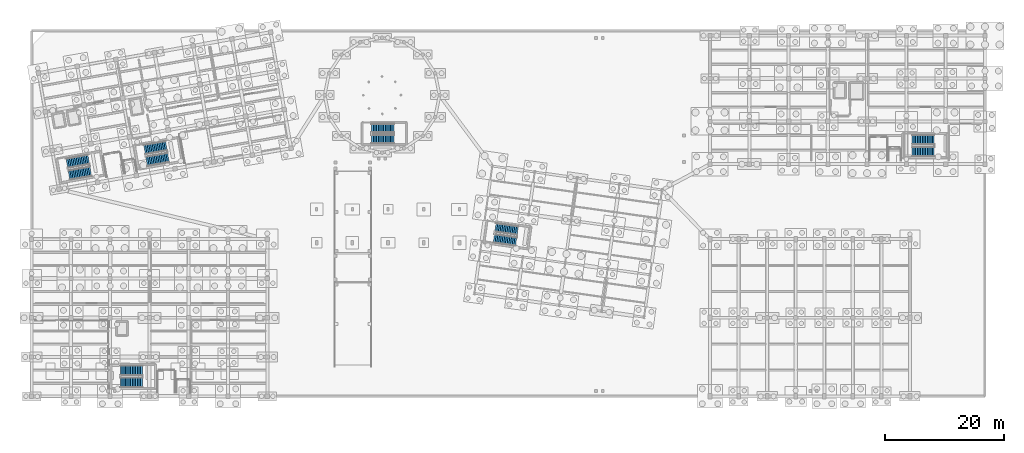
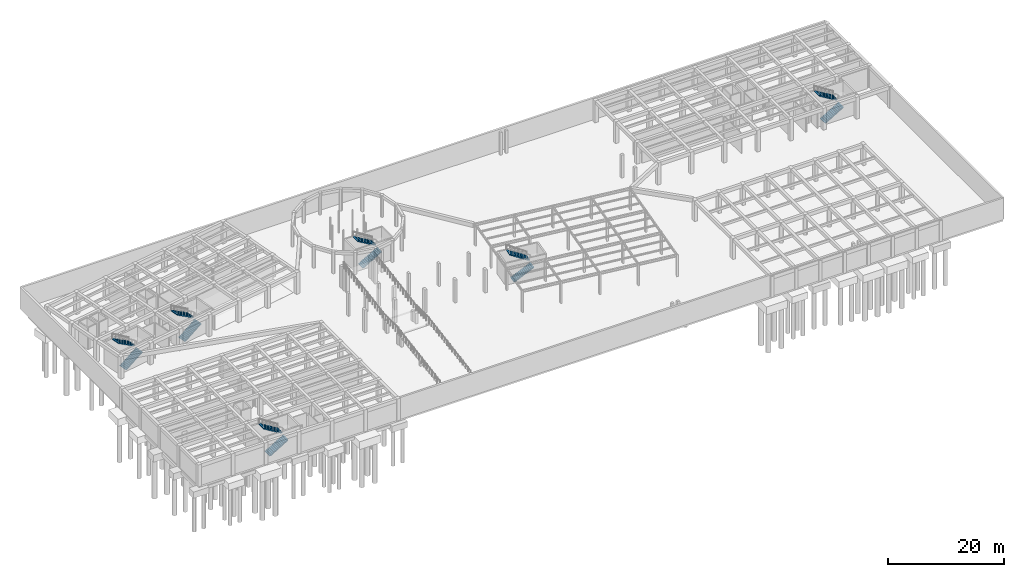
# One storey, part 28 of 34: 12 stair flights, 6 elements without a shape of their own.
"""IFC4 building model written with IfcOpenShell, lengths in metres."""

from ifc_helpers import new_model, si_unit, direction, frame, origin, place, context, subcontext, project, spatial, polyline, outline, extrude, material, type_object, element, aggregate, save


model = new_model("IFC4")

# Units and contexts
model_context = context("Model", 3, precision=1e-05, world=origin(), true_north=direction((0.0, 1.0)))
body_context = subcontext(model_context, "Body", "Model", "MODEL_VIEW")
ifc_project = project(units=[si_unit("LENGTHUNIT", "METRE"), si_unit("AREAUNIT", "SQUARE_METRE"), si_unit("VOLUMEUNIT", "CUBIC_METRE"), si_unit("PLANEANGLEUNIT", "RADIAN"), si_unit("MASSUNIT", "GRAM", prefix="KILO")], contexts=[model_context])

# Site, building, storey
site_placement = place(None, origin())
site = spatial("IfcSite", under=ifc_project, at=site_placement, CompositionType="ELEMENT")
building_placement = place(site_placement, origin())
building = spatial("IfcBuilding", under=site, at=building_placement, Name="Kharisveld Research Institute", CompositionType="ELEMENT")
storey_placement = place(building_placement, frame((0.0, 0.0, -4.800048828125)))
storey = spatial("IfcBuildingStorey", under=building, at=storey_placement, Name="B1", CompositionType="ELEMENT", Elevation=-4.800048828125)

# Stair, stair flights
ifc_material_1 = material(Name="Concrete C40/50", Category="concrete")
stair_type_1 = type_object("IfcStairType", Name="ST_FEAT_154", PredefinedType="TWO_STRAIGHT_RUN_STAIR", material=ifc_material_1)
stair_1_placement = place(storey_placement, origin())
stair_1 = element("IfcStair", 1, at=stair_1_placement, inside=storey, type_object=stair_type_1, Name="STR:ST5:B1", PredefinedType="TWO_STRAIGHT_RUN_STAIR")
ifc_material_2 = material(Name="Concrete C40/50", Category="concrete")
stair_flight_type_1 = type_object("IfcStairFlightType", Name="SF_RUN_154", PredefinedType="STRAIGHT", material=ifc_material_2)
stair_flight_1_placement = place(storey_placement, frame((78.28271484375, 26.70263671875, 0.0), z_axis=(0.0, 0.0, 1.0), x_axis=(0.990268068742, -0.13917310096, 0.0)))
stair_flight_1 = element("IfcStairFlight", 2, at=stair_flight_1_placement, type_object=stair_flight_type_1, Name="ST-05 flight 1", NumberOfRisers=14, NumberOfTreads=13, PredefinedType="STRAIGHT", RiserHeight=0.171429, TreadLength=0.29, context=body_context, shape_type="SweptSolid", body=[
    extrude(outline(polyline([(0.0, 0.0), (0.0, 0.17138671875), (0.2900390625, 0.17138671875), (0.2900390625, 0.3427734375), (0.580078125, 0.3427734375), (0.580078125, 0.514404296875), (0.8701171875, 0.514404296875), (0.8701171875, 0.685791015625), (1.159912109375, 0.685791015625), (1.159912109375, 0.857177734375), (1.449951171875, 0.857177734375), (1.449951171875, 1.028564453125), (1.739990234375, 1.028564453125), (1.739990234375, 1.199951171875), (2.030029296875, 1.199951171875), (2.030029296875, 1.371337890625), (2.320068359375, 1.371337890625), (2.320068359375, 1.54296875), (2.610107421875, 1.54296875), (2.610107421875, 1.71435546875), (2.89990234375, 1.71435546875), (2.89990234375, 1.8857421875), (3.18994140625, 1.8857421875), (3.18994140625, 2.05712890625), (3.47998046875, 2.05712890625), (3.47998046875, 2.228515625), (3.77001953125, 2.228515625), (3.77001953125, 2.39990234375), (3.77001953125, 2.054443359375), (0.294677734375, 0.0), (0.0, 0.0)])), frame((0.0, 0.77001953125, 0.0), z_axis=(0.0, -1.0, 0.0), x_axis=(1.0, 0.0, 0.0)), (0.0, 0.0, 1.0), 1.5400390625),
])
stair_flight_2_placement = place(storey_placement, frame((82.280517578125, 28.0595703125, 2.400146484375), z_axis=(0.0, 0.0, 1.0), x_axis=(-0.990268068742, 0.13917310096, 0.0)))
stair_flight_2 = element("IfcStairFlight", 3, at=stair_flight_2_placement, type_object=stair_flight_type_1, Name="ST-05 flight 2", NumberOfRisers=14, NumberOfTreads=13, PredefinedType="STRAIGHT", RiserHeight=0.171429, TreadLength=0.29, context=body_context, shape_type="SweptSolid", body=[
    extrude(outline(polyline([(0.0, 0.0), (0.0, 0.17138671875), (0.2900390625, 0.17138671875), (0.2900390625, 0.3427734375), (0.580078125, 0.3427734375), (0.580078125, 0.514404296875), (0.8701171875, 0.514404296875), (0.8701171875, 0.685791015625), (1.159912109375, 0.685791015625), (1.159912109375, 0.857177734375), (1.449951171875, 0.857177734375), (1.449951171875, 1.028564453125), (1.739990234375, 1.028564453125), (1.739990234375, 1.199951171875), (2.030029296875, 1.199951171875), (2.030029296875, 1.371337890625), (2.320068359375, 1.371337890625), (2.320068359375, 1.54296875), (2.610107421875, 1.54296875), (2.610107421875, 1.71435546875), (2.89990234375, 1.71435546875), (2.89990234375, 1.8857421875), (3.18994140625, 1.8857421875), (3.18994140625, 2.05712890625), (3.47998046875, 2.05712890625), (3.47998046875, 2.228515625), (3.77001953125, 2.228515625), (3.77001953125, 2.39990234375), (3.77001953125, 2.054443359375), (0.294677734375, 0.0), (0.0, 0.0)])), frame((0.0, 0.77001953125, 0.0), z_axis=(0.0, -1.0, 0.0), x_axis=(1.0, 0.0, 0.0)), (0.0, 0.0, 1.0), 1.5400390625),
])
aggregate(stair_1, [stair_flight_1, stair_flight_2])

stair_2_placement = place(storey_placement, origin())
stair_2 = element("IfcStair", 4, at=stair_2_placement, inside=storey, type_object=stair_type_1, Name="STR:ST7:B1", PredefinedType="TWO_STRAIGHT_RUN_STAIR")
stair_flight_3_placement = place(storey_placement, frame((57.719970703125, 43.3701171875, 0.0), z_axis=(0.0, 0.0, 1.0), x_axis=(1.0, 0.0, 0.0)))
stair_flight_3 = element("IfcStairFlight", 5, at=stair_flight_3_placement, type_object=stair_flight_type_1, Name="ST-07 flight 1", NumberOfRisers=14, NumberOfTreads=13, PredefinedType="STRAIGHT", RiserHeight=0.171429, TreadLength=0.29, context=body_context, shape_type="SweptSolid", body=[
    extrude(outline(polyline([(0.0, 0.0), (0.0, 0.17138671875), (0.2900390625, 0.17138671875), (0.2900390625, 0.3427734375), (0.580078125, 0.3427734375), (0.580078125, 0.514404296875), (0.8701171875, 0.514404296875), (0.8701171875, 0.685791015625), (1.159912109375, 0.685791015625), (1.159912109375, 0.857177734375), (1.449951171875, 0.857177734375), (1.449951171875, 1.028564453125), (1.739990234375, 1.028564453125), (1.739990234375, 1.199951171875), (2.030029296875, 1.199951171875), (2.030029296875, 1.371337890625), (2.320068359375, 1.371337890625), (2.320068359375, 1.54296875), (2.610107421875, 1.54296875), (2.610107421875, 1.71435546875), (2.89990234375, 1.71435546875), (2.89990234375, 1.8857421875), (3.18994140625, 1.8857421875), (3.18994140625, 2.05712890625), (3.47998046875, 2.05712890625), (3.47998046875, 2.228515625), (3.77001953125, 2.228515625), (3.77001953125, 2.39990234375), (3.77001953125, 2.054443359375), (0.294677734375, 0.0), (0.0, 0.0)])), frame((0.0, 0.77001953125, 0.0), z_axis=(0.0, -1.0, 0.0), x_axis=(1.0, 0.0, 0.0)), (0.0, 0.0, 1.0), 1.5400390625),
])
stair_flight_4_placement = place(storey_placement, frame((61.489990234375, 45.27001953125, 2.400146484375), z_axis=(0.0, 0.0, 1.0), x_axis=(-1.0, 0.0, 0.0)))
stair_flight_4 = element("IfcStairFlight", 6, at=stair_flight_4_placement, type_object=stair_flight_type_1, Name="ST-07 flight 2", NumberOfRisers=14, NumberOfTreads=13, PredefinedType="STRAIGHT", RiserHeight=0.171429, TreadLength=0.29, context=body_context, shape_type="SweptSolid", body=[
    extrude(outline(polyline([(0.0, 0.0), (0.0, 0.17138671875), (0.2900390625, 0.17138671875), (0.2900390625, 0.3427734375), (0.580078125, 0.3427734375), (0.580078125, 0.514404296875), (0.8701171875, 0.514404296875), (0.8701171875, 0.685791015625), (1.159912109375, 0.685791015625), (1.159912109375, 0.857177734375), (1.449951171875, 0.857177734375), (1.449951171875, 1.028564453125), (1.739990234375, 1.028564453125), (1.739990234375, 1.199951171875), (2.030029296875, 1.199951171875), (2.030029296875, 1.371337890625), (2.320068359375, 1.371337890625), (2.320068359375, 1.54296875), (2.610107421875, 1.54296875), (2.610107421875, 1.71435546875), (2.89990234375, 1.71435546875), (2.89990234375, 1.8857421875), (3.18994140625, 1.8857421875), (3.18994140625, 2.05712890625), (3.47998046875, 2.05712890625), (3.47998046875, 2.228515625), (3.77001953125, 2.228515625), (3.77001953125, 2.39990234375), (3.77001953125, 2.054443359375), (0.294677734375, 0.0), (0.0, 0.0)])), frame((0.0, 0.77001953125, 0.0), z_axis=(0.0, -1.0, 0.0), x_axis=(1.0, 0.0, 0.0)), (0.0, 0.0, 1.0), 1.5400390625),
])
aggregate(stair_2, [stair_flight_3, stair_flight_4])

ifc_material_3 = material(Name="Concrete C40/50", Category="concrete")
stair_type_2 = type_object("IfcStairType", Name="ST_EXIT_170", PredefinedType="TWO_STRAIGHT_RUN_STAIR", material=ifc_material_3)
stair_3_placement = place(storey_placement, origin())
stair_3 = element("IfcStair", 7, at=stair_3_placement, inside=storey, type_object=stair_type_2, Name="STR:ST1:B1", PredefinedType="TWO_STRAIGHT_RUN_STAIR")
ifc_material_4 = material(Name="Concrete C40/50", Category="concrete")
stair_flight_type_2 = type_object("IfcStairFlightType", Name="SF_RUN_170", PredefinedType="STRAIGHT", material=ifc_material_4)
stair_flight_5_placement = place(storey_placement, frame((6.891357421875, 37.339111328125, 0.0), z_axis=(0.0, 0.0, 1.0), x_axis=(0.984807753012, 0.173648177667, 0.0)))
stair_flight_5 = element("IfcStairFlight", 8, at=stair_flight_5_placement, type_object=stair_flight_type_2, Name="ST-01 flight 1", NumberOfRisers=14, NumberOfTreads=13, PredefinedType="STRAIGHT", RiserHeight=0.171429, TreadLength=0.285, context=body_context, shape_type="SweptSolid", body=[
    extrude(outline(polyline([(0.0, 0.0), (0.0, 0.17138671875), (0.284912109375, 0.17138671875), (0.284912109375, 0.3427734375), (0.570068359375, 0.3427734375), (0.570068359375, 0.514404296875), (0.85498046875, 0.514404296875), (0.85498046875, 0.685791015625), (1.139892578125, 0.685791015625), (1.139892578125, 0.857177734375), (1.425048828125, 0.857177734375), (1.425048828125, 1.028564453125), (1.7099609375, 1.028564453125), (1.7099609375, 1.199951171875), (1.9951171875, 1.199951171875), (1.9951171875, 1.371337890625), (2.280029296875, 1.371337890625), (2.280029296875, 1.54296875), (2.56494140625, 1.54296875), (2.56494140625, 1.71435546875), (2.85009765625, 1.71435546875), (2.85009765625, 1.8857421875), (3.135009765625, 1.8857421875), (3.135009765625, 2.05712890625), (3.419921875, 2.05712890625), (3.419921875, 2.228515625), (3.705078125, 2.228515625), (3.705078125, 2.39990234375), (3.705078125, 2.0537109375), (0.290771484375, 0.0), (0.0, 0.0)])), frame((0.0, 0.85009765625, 0.0), z_axis=(0.0, -1.0, 0.0), x_axis=(1.0, 0.0, 0.0)), (0.0, 0.0, 1.0), 1.699951171875),
])
stair_flight_6_placement = place(storey_placement, frame((10.182373046875, 40.01123046875, 2.400146484375), z_axis=(0.0, 0.0, 1.0), x_axis=(-0.984807753012, -0.173648177667, 0.0)))
stair_flight_6 = element("IfcStairFlight", 9, at=stair_flight_6_placement, type_object=stair_flight_type_2, Name="ST-01 flight 2", NumberOfRisers=14, NumberOfTreads=13, PredefinedType="STRAIGHT", RiserHeight=0.171429, TreadLength=0.285, context=body_context, shape_type="SweptSolid", body=[
    extrude(outline(polyline([(0.0, 0.0), (0.0, 0.17138671875), (0.284912109375, 0.17138671875), (0.284912109375, 0.3427734375), (0.570068359375, 0.3427734375), (0.570068359375, 0.514404296875), (0.85498046875, 0.514404296875), (0.85498046875, 0.685791015625), (1.139892578125, 0.685791015625), (1.139892578125, 0.857177734375), (1.425048828125, 0.857177734375), (1.425048828125, 1.028564453125), (1.7099609375, 1.028564453125), (1.7099609375, 1.199951171875), (1.9951171875, 1.199951171875), (1.9951171875, 1.371337890625), (2.280029296875, 1.371337890625), (2.280029296875, 1.54296875), (2.56494140625, 1.54296875), (2.56494140625, 1.71435546875), (2.85009765625, 1.71435546875), (2.85009765625, 1.8857421875), (3.135009765625, 1.8857421875), (3.135009765625, 2.05712890625), (3.419921875, 2.05712890625), (3.419921875, 2.228515625), (3.705078125, 2.228515625), (3.705078125, 2.39990234375), (3.705078125, 2.0537109375), (0.290771484375, 0.0), (0.0, 0.0)])), frame((0.0, 0.85009765625, 0.0), z_axis=(0.0, -1.0, 0.0), x_axis=(1.0, 0.0, 0.0)), (0.0, 0.0, 1.0), 1.699951171875),
])
aggregate(stair_3, [stair_flight_5, stair_flight_6])

stair_4_placement = place(storey_placement, origin())
stair_4 = element("IfcStair", 10, at=stair_4_placement, inside=storey, type_object=stair_type_2, Name="STR:ST2:B1", PredefinedType="TWO_STRAIGHT_RUN_STAIR")
stair_flight_7_placement = place(storey_placement, frame((19.93994140625, 39.639892578125, 0.0), z_axis=(0.0, 0.0, 1.0), x_axis=(0.984807753012, 0.173648177667, 0.0)))
stair_flight_7 = element("IfcStairFlight", 11, at=stair_flight_7_placement, type_object=stair_flight_type_2, Name="ST-02 flight 1", NumberOfRisers=14, NumberOfTreads=13, PredefinedType="STRAIGHT", RiserHeight=0.171429, TreadLength=0.285, context=body_context, shape_type="SweptSolid", body=[
    extrude(outline(polyline([(0.0, 0.0), (0.0, 0.17138671875), (0.284912109375, 0.17138671875), (0.284912109375, 0.3427734375), (0.570068359375, 0.3427734375), (0.570068359375, 0.514404296875), (0.85498046875, 0.514404296875), (0.85498046875, 0.685791015625), (1.139892578125, 0.685791015625), (1.139892578125, 0.857177734375), (1.425048828125, 0.857177734375), (1.425048828125, 1.028564453125), (1.7099609375, 1.028564453125), (1.7099609375, 1.199951171875), (1.9951171875, 1.199951171875), (1.9951171875, 1.371337890625), (2.280029296875, 1.371337890625), (2.280029296875, 1.54296875), (2.56494140625, 1.54296875), (2.56494140625, 1.71435546875), (2.85009765625, 1.71435546875), (2.85009765625, 1.8857421875), (3.135009765625, 1.8857421875), (3.135009765625, 2.05712890625), (3.419921875, 2.05712890625), (3.419921875, 2.228515625), (3.705078125, 2.228515625), (3.705078125, 2.39990234375), (3.705078125, 2.0537109375), (0.290771484375, 0.0), (0.0, 0.0)])), frame((0.0, 0.85009765625, 0.0), z_axis=(0.0, -1.0, 0.0), x_axis=(1.0, 0.0, 0.0)), (0.0, 0.0, 1.0), 1.699951171875),
])
stair_flight_8_placement = place(storey_placement, frame((23.23095703125, 42.31201171875, 2.400146484375), z_axis=(0.0, 0.0, 1.0), x_axis=(-0.984807753012, -0.173648177667, 0.0)))
stair_flight_8 = element("IfcStairFlight", 12, at=stair_flight_8_placement, type_object=stair_flight_type_2, Name="ST-02 flight 2", NumberOfRisers=14, NumberOfTreads=13, PredefinedType="STRAIGHT", RiserHeight=0.171429, TreadLength=0.285, context=body_context, shape_type="SweptSolid", body=[
    extrude(outline(polyline([(0.0, 0.0), (0.0, 0.17138671875), (0.284912109375, 0.17138671875), (0.284912109375, 0.3427734375), (0.570068359375, 0.3427734375), (0.570068359375, 0.514404296875), (0.85498046875, 0.514404296875), (0.85498046875, 0.685791015625), (1.139892578125, 0.685791015625), (1.139892578125, 0.857177734375), (1.425048828125, 0.857177734375), (1.425048828125, 1.028564453125), (1.7099609375, 1.028564453125), (1.7099609375, 1.199951171875), (1.9951171875, 1.199951171875), (1.9951171875, 1.371337890625), (2.280029296875, 1.371337890625), (2.280029296875, 1.54296875), (2.56494140625, 1.54296875), (2.56494140625, 1.71435546875), (2.85009765625, 1.71435546875), (2.85009765625, 1.8857421875), (3.135009765625, 1.8857421875), (3.135009765625, 2.05712890625), (3.419921875, 2.05712890625), (3.419921875, 2.228515625), (3.705078125, 2.228515625), (3.705078125, 2.39990234375), (3.705078125, 2.0537109375), (0.290771484375, 0.0), (0.0, 0.0)])), frame((0.0, 0.85009765625, 0.0), z_axis=(0.0, -1.0, 0.0), x_axis=(1.0, 0.0, 0.0)), (0.0, 0.0, 1.0), 1.699951171875),
])
aggregate(stair_4, [stair_flight_7, stair_flight_8])

stair_5_placement = place(storey_placement, origin())
stair_5 = element("IfcStair", 13, at=stair_5_placement, inside=storey, type_object=stair_type_2, Name="STR:ST3:B1", PredefinedType="TWO_STRAIGHT_RUN_STAIR")
stair_flight_9_placement = place(storey_placement, frame((148.570068359375, 41.300048828125, 0.0), z_axis=(0.0, 0.0, 1.0), x_axis=(1.0, 0.0, 0.0)))
stair_flight_9 = element("IfcStairFlight", 14, at=stair_flight_9_placement, type_object=stair_flight_type_2, Name="ST-03 flight 1", NumberOfRisers=14, NumberOfTreads=13, PredefinedType="STRAIGHT", RiserHeight=0.171429, TreadLength=0.285, context=body_context, shape_type="SweptSolid", body=[
    extrude(outline(polyline([(0.0, 0.0), (0.0, 0.17138671875), (0.284912109375, 0.17138671875), (0.284912109375, 0.3427734375), (0.570068359375, 0.3427734375), (0.570068359375, 0.514404296875), (0.85498046875, 0.514404296875), (0.85498046875, 0.685791015625), (1.139892578125, 0.685791015625), (1.139892578125, 0.857177734375), (1.425048828125, 0.857177734375), (1.425048828125, 1.028564453125), (1.7099609375, 1.028564453125), (1.7099609375, 1.199951171875), (1.9951171875, 1.199951171875), (1.9951171875, 1.371337890625), (2.280029296875, 1.371337890625), (2.280029296875, 1.54296875), (2.56494140625, 1.54296875), (2.56494140625, 1.71435546875), (2.85009765625, 1.71435546875), (2.85009765625, 1.8857421875), (3.135009765625, 1.8857421875), (3.135009765625, 2.05712890625), (3.419921875, 2.05712890625), (3.419921875, 2.228515625), (3.705078125, 2.228515625), (3.705078125, 2.39990234375), (3.705078125, 2.0537109375), (0.290771484375, 0.0), (0.0, 0.0)])), frame((0.0, 0.85009765625, 0.0), z_axis=(0.0, -1.0, 0.0), x_axis=(1.0, 0.0, 0.0)), (0.0, 0.0, 1.0), 1.699951171875),
])
stair_flight_10_placement = place(storey_placement, frame((152.27490234375, 43.360107421875, 2.400146484375), z_axis=(0.0, 0.0, 1.0), x_axis=(-1.0, 0.0, 0.0)))
stair_flight_10 = element("IfcStairFlight", 15, at=stair_flight_10_placement, type_object=stair_flight_type_2, Name="ST-03 flight 2", NumberOfRisers=14, NumberOfTreads=13, PredefinedType="STRAIGHT", RiserHeight=0.171429, TreadLength=0.285, context=body_context, shape_type="SweptSolid", body=[
    extrude(outline(polyline([(0.0, 0.0), (0.0, 0.17138671875), (0.284912109375, 0.17138671875), (0.284912109375, 0.3427734375), (0.570068359375, 0.3427734375), (0.570068359375, 0.514404296875), (0.85498046875, 0.514404296875), (0.85498046875, 0.685791015625), (1.139892578125, 0.685791015625), (1.139892578125, 0.857177734375), (1.425048828125, 0.857177734375), (1.425048828125, 1.028564453125), (1.7099609375, 1.028564453125), (1.7099609375, 1.199951171875), (1.9951171875, 1.199951171875), (1.9951171875, 1.371337890625), (2.280029296875, 1.371337890625), (2.280029296875, 1.54296875), (2.56494140625, 1.54296875), (2.56494140625, 1.71435546875), (2.85009765625, 1.71435546875), (2.85009765625, 1.8857421875), (3.135009765625, 1.8857421875), (3.135009765625, 2.05712890625), (3.419921875, 2.05712890625), (3.419921875, 2.228515625), (3.705078125, 2.228515625), (3.705078125, 2.39990234375), (3.705078125, 2.0537109375), (0.290771484375, 0.0), (0.0, 0.0)])), frame((0.0, 0.85009765625, 0.0), z_axis=(0.0, -1.0, 0.0), x_axis=(1.0, 0.0, 0.0)), (0.0, 0.0, 1.0), 1.699951171875),
])
aggregate(stair_5, [stair_flight_9, stair_flight_10])

stair_6_placement = place(storey_placement, origin())
stair_6 = element("IfcStair", 16, at=stair_6_placement, inside=storey, type_object=stair_type_2, Name="STR:ST4:B1", PredefinedType="TWO_STRAIGHT_RUN_STAIR")
stair_flight_11_placement = place(storey_placement, frame((15.52001953125, 2.5, 0.0), z_axis=(0.0, 0.0, 1.0), x_axis=(1.0, 0.0, 0.0)))
stair_flight_11 = element("IfcStairFlight", 17, at=stair_flight_11_placement, type_object=stair_flight_type_2, Name="ST-04 flight 1", NumberOfRisers=14, NumberOfTreads=13, PredefinedType="STRAIGHT", RiserHeight=0.171429, TreadLength=0.285, context=body_context, shape_type="SweptSolid", body=[
    extrude(outline(polyline([(0.0, 0.0), (0.0, 0.17138671875), (0.284912109375, 0.17138671875), (0.284912109375, 0.3427734375), (0.570068359375, 0.3427734375), (0.570068359375, 0.514404296875), (0.85498046875, 0.514404296875), (0.85498046875, 0.685791015625), (1.139892578125, 0.685791015625), (1.139892578125, 0.857177734375), (1.425048828125, 0.857177734375), (1.425048828125, 1.028564453125), (1.7099609375, 1.028564453125), (1.7099609375, 1.199951171875), (1.9951171875, 1.199951171875), (1.9951171875, 1.371337890625), (2.280029296875, 1.371337890625), (2.280029296875, 1.54296875), (2.56494140625, 1.54296875), (2.56494140625, 1.71435546875), (2.85009765625, 1.71435546875), (2.85009765625, 1.8857421875), (3.135009765625, 1.8857421875), (3.135009765625, 2.05712890625), (3.419921875, 2.05712890625), (3.419921875, 2.228515625), (3.705078125, 2.228515625), (3.705078125, 2.39990234375), (3.705078125, 2.0537109375), (0.290771484375, 0.0), (0.0, 0.0)])), frame((0.0, 0.85009765625, 0.0), z_axis=(0.0, -1.0, 0.0), x_axis=(1.0, 0.0, 0.0)), (0.0, 0.0, 1.0), 1.699951171875),
])
stair_flight_12_placement = place(storey_placement, frame((19.22509765625, 4.56005859375, 2.400146484375), z_axis=(0.0, 0.0, 1.0), x_axis=(-1.0, 0.0, 0.0)))
stair_flight_12 = element("IfcStairFlight", 18, at=stair_flight_12_placement, type_object=stair_flight_type_2, Name="ST-04 flight 2", NumberOfRisers=14, NumberOfTreads=13, PredefinedType="STRAIGHT", RiserHeight=0.171429, TreadLength=0.285, context=body_context, shape_type="SweptSolid", body=[
    extrude(outline(polyline([(0.0, 0.0), (0.0, 0.17138671875), (0.284912109375, 0.17138671875), (0.284912109375, 0.3427734375), (0.570068359375, 0.3427734375), (0.570068359375, 0.514404296875), (0.85498046875, 0.514404296875), (0.85498046875, 0.685791015625), (1.139892578125, 0.685791015625), (1.139892578125, 0.857177734375), (1.425048828125, 0.857177734375), (1.425048828125, 1.028564453125), (1.7099609375, 1.028564453125), (1.7099609375, 1.199951171875), (1.9951171875, 1.199951171875), (1.9951171875, 1.371337890625), (2.280029296875, 1.371337890625), (2.280029296875, 1.54296875), (2.56494140625, 1.54296875), (2.56494140625, 1.71435546875), (2.85009765625, 1.71435546875), (2.85009765625, 1.8857421875), (3.135009765625, 1.8857421875), (3.135009765625, 2.05712890625), (3.419921875, 2.05712890625), (3.419921875, 2.228515625), (3.705078125, 2.228515625), (3.705078125, 2.39990234375), (3.705078125, 2.0537109375), (0.290771484375, 0.0), (0.0, 0.0)])), frame((0.0, 0.85009765625, 0.0), z_axis=(0.0, -1.0, 0.0), x_axis=(1.0, 0.0, 0.0)), (0.0, 0.0, 1.0), 1.699951171875),
])
aggregate(stair_6, [stair_flight_11, stair_flight_12])

save(model, "model.ifc")
